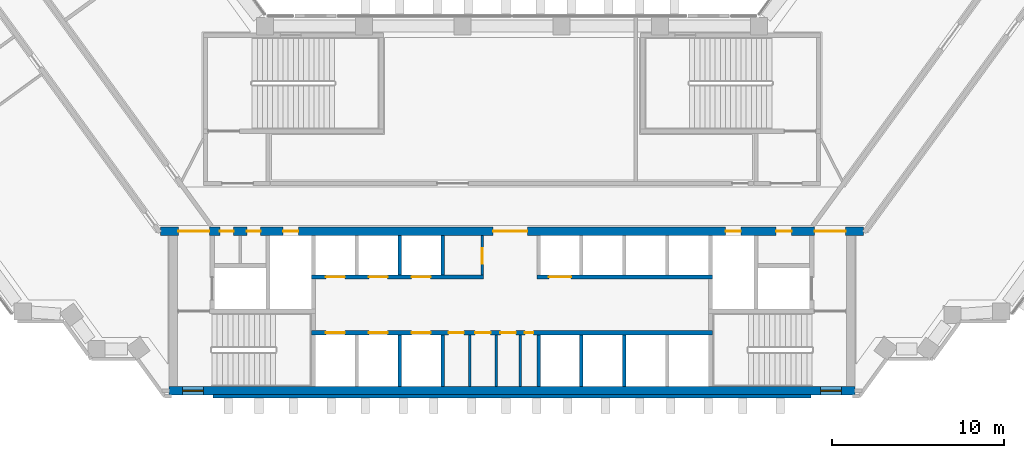
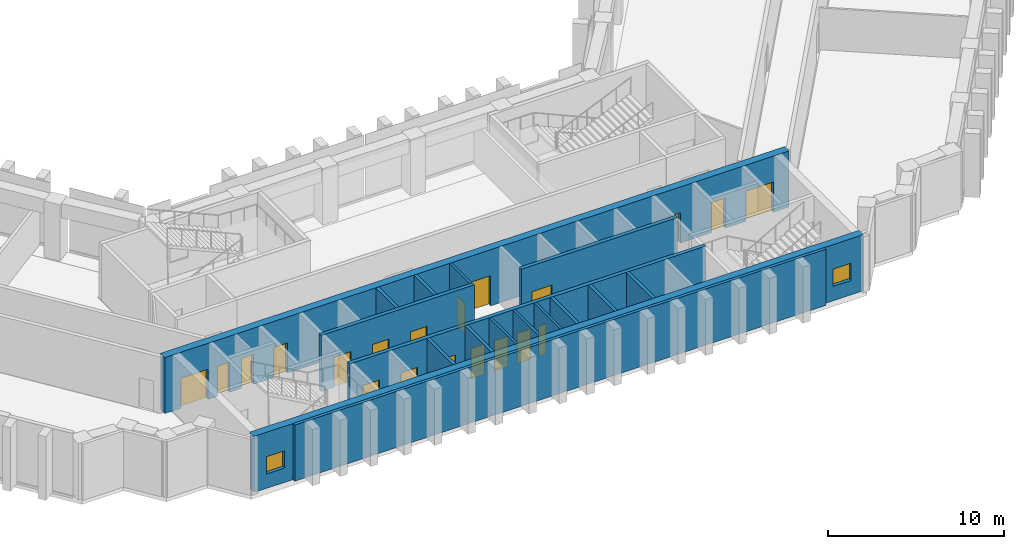
# One storey, part 6 of 14: 20 doors, 17 walls, 2 windows, 22 openings.
"""IFC4 building model written with IfcOpenShell, lengths in metres."""

import ifcopenshell
import ifcopenshell.guid

model = None  # the IFC model being written
_history = None  # IfcOwnerHistory: only IFC2X3 demands one
_inside = {}  # id of a spatial element -> (the spatial element, [elements in it])
_under = {}  # id of a project, library or spatial element -> (it, [spatial elements below it])
_declared = {}  # id of a project -> (the project, [libraries it declares])
_typed = {}  # id of a type object -> (the type object, [elements of that type])
_made_of = {}  # id of a material, layer set ... -> (it, [elements and type objects made of it])


def new_model(schema):
    """Start an empty IFC model of exactly this schema.

    Asked for "IFC4X3", IfcOpenShell would pick the latest addendum, in which some entities
    have other attributes; the version numbers below select the first issue.
    IFC2X3 requires an IfcOwnerHistory on every rooted entity: one is made here for all.
    """
    global model, _history
    if schema == "IFC4X3":
        model = ifcopenshell.file(schema_version=(4, 3, 0, 0))
    else:
        model = ifcopenshell.file(schema=schema)
    _inside.clear()
    _under.clear()
    _declared.clear()
    _typed.clear()
    _made_of.clear()
    _history = None
    if model.schema == "IFC2X3":
        org = make("IfcOrganization", Name="unknown")
        user = make(
            "IfcPersonAndOrganization",
            ThePerson=make("IfcPerson", FamilyName="unknown"),
            TheOrganization=org,
        )
        app = make(
            "IfcApplication",
            ApplicationDeveloper=org,
            Version="unknown",
            ApplicationFullName="unknown",
            ApplicationIdentifier="unknown",
        )
        _history = make(
            "IfcOwnerHistory",
            OwningUser=user,
            OwningApplication=app,
            ChangeAction="ADDED",
            CreationDate=0,
        )
    return model


def make(cls, **values):
    """One entity of the class cls with the attributes given. An attribute that is None is left unset."""
    return model.create_entity(
        cls, **{name: value for name, value in values.items() if value is not None}
    )


def rooted(cls, **values):
    """An entity with a GlobalId (a new one), such as an element, a storey or a relation."""
    return make(cls, GlobalId=ifcopenshell.guid.new(), OwnerHistory=_history, **values)


def si_unit(unit_type, name, prefix=None):
    """IfcSIUnit, for example si_unit("LENGTHUNIT", "METRE", prefix="MILLI")."""
    return make("IfcSIUnit", UnitType=unit_type, Prefix=prefix, Name=name)


def assignment(units):
    """IfcUnitAssignment: the units of a project."""
    return None if units is None else make("IfcUnitAssignment", Units=units)


def point(xyz):
    """IfcCartesianPoint."""
    return None if xyz is None else make("IfcCartesianPoint", Coordinates=xyz)


def direction(xyz):
    """IfcDirection."""
    return None if xyz is None else make("IfcDirection", DirectionRatios=xyz)


def frame(location, z_axis=None, x_axis=None):
    """IfcAxis2Placement3D, a coordinate frame: its origin and axes. An axis left out is left unset."""
    return make(
        "IfcAxis2Placement3D",
        Location=point(location),
        Axis=direction(z_axis),
        RefDirection=direction(x_axis),
    )


def frame_2d(location, x_axis=None):
    """IfcAxis2Placement2D, a coordinate frame in the plane: its origin and x axis."""
    return make(
        "IfcAxis2Placement2D", Location=point(location), RefDirection=direction(x_axis)
    )


def origin():
    """The frame at (0, 0, 0) with its axes left unset."""
    return frame((0.0, 0.0, 0.0))


def place(relative_to, where):
    """IfcLocalPlacement: puts the frame where relative to a parent placement (None: the world)."""
    return make(
        "IfcLocalPlacement", PlacementRelTo=relative_to, RelativePlacement=where
    )


def context(
    kind, dimensions, precision=None, world=None, true_north=None, identifier=None
):
    """IfcGeometricRepresentationContext, for example the 3D "Model" context."""
    return make(
        "IfcGeometricRepresentationContext",
        ContextIdentifier=identifier,
        ContextType=kind,
        CoordinateSpaceDimension=dimensions,
        Precision=precision,
        WorldCoordinateSystem=world,
        TrueNorth=true_north,
    )


def subcontext(parent, identifier, kind, view, scale=None):
    """IfcGeometricRepresentationSubContext, for example "Body" below "Model"."""
    return make(
        "IfcGeometricRepresentationSubContext",
        ContextIdentifier=identifier,
        ContextType=kind,
        ParentContext=parent,
        TargetScale=scale,
        TargetView=view,
    )


def project(units=None, contexts=None):
    """IfcProject with its units and contexts."""
    return rooted(
        "IfcProject",
        Name="project",
        RepresentationContexts=contexts,
        UnitsInContext=assignment(units),
    )


def spatial(cls, under=None, at=None, **own):
    """A site, building, storey or space (cls), placed at a placement, below another one or the project."""
    s = rooted(cls, ObjectPlacement=at, **own)
    if under is not None:
        _under.setdefault(under.id(), (under, []))[1].append(s)
    return s


def profile(cls, at=None, kind="AREA", **sizes):
    """A parametric profile (cls). Its sizes go by their IFC names, for example OverallWidth=200.0."""
    return make(cls, ProfileType=kind, Position=at, **sizes)


def rectangle(**sizes):
    """IfcRectangleProfileDef."""
    return profile("IfcRectangleProfileDef", **sizes)


def extrude(swept, where, along, depth):
    """IfcExtrudedAreaSolid: the profile swept, set in the frame where, extruded along a direction by depth."""
    return make(
        "IfcExtrudedAreaSolid",
        SweptArea=swept,
        Position=where,
        ExtrudedDirection=direction(along),
        Depth=depth,
    )


def shape(context_of_items, identifier, shape_type, items):
    """IfcShapeRepresentation: the items that make up one representation, for example the "Body"."""
    return make(
        "IfcShapeRepresentation",
        ContextOfItems=context_of_items,
        RepresentationIdentifier=identifier,
        RepresentationType=shape_type,
        Items=items,
    )


def material(Name=None, Category=None):
    """IfcMaterial."""
    return make("IfcMaterial", Name=Name, Category=Category)


def layer(
    of_material, thickness, ventilated=None, Name=None, Category=None, Priority=None
):
    """IfcMaterialLayer: one layer of a wall or slab, of a material (None: an air gap)."""
    return make(
        "IfcMaterialLayer",
        Material=of_material,
        LayerThickness=thickness,
        IsVentilated=ventilated,
        Name=Name,
        Category=Category,
        Priority=Priority,
    )


def layer_set(layers, Name=None):
    """IfcMaterialLayerSet."""
    return make("IfcMaterialLayerSet", MaterialLayers=layers, LayerSetName=Name)


def made_of(thing, what):
    """Note that an element or type object is made of a material, layer set ...; save() writes the relation."""
    if what is not None:
        _made_of.setdefault(what.id(), (what, []))[1].append(thing)
    return thing


def type_object(cls, material=None, **own):
    """A type object (cls), such as IfcWallType, which elements share."""
    return made_of(rooted(cls, **own), material)


def element(
    cls,
    number,
    at=None,
    inside=None,
    cuts=None,
    type_object=None,
    material=None,
    context=None,
    identifier="Body",
    shape_type=None,
    held_by="IfcProductDefinitionShape",
    body=None,
    shapes=None,
    **own,
):
    """One element of the class cls, such as IfcWall. Its Tag is "e" and its number.

    at: its placement. inside: the storey or other place that contains it. cuts: it is an
    opening in that element (IfcRelVoidsElement). A single representation is given by context,
    identifier, shape_type and body (its items); several are given by shapes. held_by: the class
    of the entity that holds the representations. save() writes the other relations.
    """
    e = rooted(cls, Tag="e%d" % number, ObjectPlacement=at, **own)
    if body is not None:
        shapes = [shape(context, identifier, shape_type, body)]
    if shapes is not None:
        e.Representation = make(held_by, Representations=shapes)
    if inside is not None:
        _inside.setdefault(inside.id(), (inside, []))[1].append(e)
    if cuts is not None:
        rooted(
            "IfcRelVoidsElement", RelatingBuildingElement=cuts, RelatedOpeningElement=e
        )
    if type_object is not None:
        _typed.setdefault(type_object.id(), (type_object, []))[1].append(e)
    return made_of(e, material)


def fill(opening, filler):
    """IfcRelFillsElement: the door or window that sits in an opening."""
    return rooted(
        "IfcRelFillsElement",
        RelatingOpeningElement=opening,
        RelatedBuildingElement=filler,
    )


def aggregate(whole, parts):
    """IfcRelAggregates: a whole, such as a stair, and the parts it consists of."""
    return rooted("IfcRelAggregates", RelatingObject=whole, RelatedObjects=parts)


def save(model, path):
    """Write the relations noted so far, then the file.

    IfcRelAggregates (storeys below a building ...), IfcRelContainedInSpatialStructure (elements
    in a storey), IfcRelDefinesByType, IfcRelAssociatesMaterial and IfcRelDeclares: one each for
    every whole, place, type object, material and project.
    """
    for whole, parts in _under.values():
        aggregate(whole, parts)
    for where, things in _inside.values():
        rooted(
            "IfcRelContainedInSpatialStructure",
            RelatedElements=things,
            RelatingStructure=where,
        )
    for kind, things in _typed.values():
        rooted("IfcRelDefinesByType", RelatedObjects=things, RelatingType=kind)
    for what, things in _made_of.values():
        rooted("IfcRelAssociatesMaterial", RelatedObjects=things, RelatingMaterial=what)
    for by, libraries in _declared.values():
        rooted("IfcRelDeclares", RelatingContext=by, RelatedDefinitions=libraries)
    model.write(path)


model = new_model("IFC4")

# Units and contexts
model_context = context("Model", 3, precision=1e-05, world=origin(), true_north=direction((0.0, 1.0)))
body_context = subcontext(model_context, "Body", "Model", "MODEL_VIEW")
ifc_project = project(units=[si_unit("LENGTHUNIT", "METRE"), si_unit("AREAUNIT", "SQUARE_METRE"), si_unit("VOLUMEUNIT", "CUBIC_METRE"), si_unit("PLANEANGLEUNIT", "RADIAN"), si_unit("MASSUNIT", "GRAM", prefix="KILO")], contexts=[model_context])

# Site, building, storey
site_placement = place(None, origin())
site = spatial("IfcSite", under=ifc_project, at=site_placement, CompositionType="ELEMENT")
building_placement = place(site_placement, origin())
building = spatial("IfcBuilding", under=site, at=building_placement, Name="Quipu Civic Tower", CompositionType="ELEMENT")
storey_placement = place(building_placement, frame((0.0, 0.0, 20.5)))
storey = spatial("IfcBuildingStorey", under=building, at=storey_placement, Name="L04", CompositionType="ELEMENT", Elevation=20.5)

# Wall, openings, doors
ifc_material_1 = material(Name="Concrete C70/85", Category="concrete")
ifc_layer_1 = layer(ifc_material_1, 0.25)
ifc_layer_set_1 = layer_set([ifc_layer_1], Name="Concrete C70/85")
wall_type_1 = type_object("IfcWallType", Name="Core wall 250", PredefinedType="SHEAR", material=ifc_layer_set_1)
wall_1_placement = place(storey_placement, frame((11.699951171875, -7.375, 0.0), z_axis=(0.0, 0.0, 1.0), x_axis=(-1.0, 0.0, 0.0)))
wall_1 = element("IfcWall", 1, at=wall_1_placement, inside=storey, type_object=wall_type_1, Name="Core wall", PredefinedType="SHEAR", context=body_context, shape_type="SweptSolid", body=[
    extrude(rectangle(XDim=23.39990234375, YDim=0.25, at=frame_2d((11.699951171875, 0.0))), origin(), (0.0, 0.0, 1.0), 3.89990234375),
])
opening_1_placement = place(wall_1_placement, frame((21.449951171875, 0.0, 0.0)))
opening_1 = element("IfcOpeningElement", 2, at=opening_1_placement, cuts=wall_1, Name="Opening LD-LL1", PredefinedType="OPENING", context=body_context, shape_type="SweptSolid", body=[
    extrude(rectangle(XDim=1.10009765625, YDim=2.10009765625, at=frame_2d((0.550048828125, 1.050048828125))), frame((0.0, 0.135009765625, 0.0), z_axis=(0.0, -1.0, 0.0), x_axis=(1.0, 0.0, 0.0)), (0.0, 0.0, 1.0), 0.27001953125),
])
opening_2_placement = place(wall_1_placement, frame((18.949951171875, 0.0, 0.0)))
opening_2 = element("IfcOpeningElement", 3, at=opening_2_placement, cuts=wall_1, Name="Opening LD-LL2", PredefinedType="OPENING", context=body_context, shape_type="SweptSolid", body=[
    extrude(rectangle(XDim=1.10009765625, YDim=2.10009765625, at=frame_2d((0.550048828125, 1.050048828125))), frame((0.0, 0.135009765625, 0.0), z_axis=(0.0, -1.0, 0.0), x_axis=(1.0, 0.0, 0.0)), (0.0, 0.0, 1.0), 0.27001953125),
])
opening_3_placement = place(wall_1_placement, frame((16.449951171875, 0.0, 0.0)))
opening_3 = element("IfcOpeningElement", 4, at=opening_3_placement, cuts=wall_1, Name="Opening LD-LL3", PredefinedType="OPENING", context=body_context, shape_type="SweptSolid", body=[
    extrude(rectangle(XDim=1.10009765625, YDim=2.10009765625, at=frame_2d((0.550048828125, 1.050048828125))), frame((0.0, 0.135009765625, 0.0), z_axis=(0.0, -1.0, 0.0), x_axis=(1.0, 0.0, 0.0)), (0.0, 0.0, 1.0), 0.27001953125),
])
opening_4_placement = place(wall_1_placement, frame((14.5, 0.0, 0.0)))
opening_4 = element("IfcOpeningElement", 5, at=opening_4_placement, cuts=wall_1, Name="Opening CD-01", PredefinedType="OPENING", context=body_context, shape_type="SweptSolid", body=[
    extrude(rectangle(XDim=0.89990234375, YDim=2.10009765625, at=frame_2d((0.449951171875, 1.050048828125))), frame((0.0, 0.135009765625, 0.0), z_axis=(0.0, -1.0, 0.0), x_axis=(1.0, 0.0, 0.0)), (0.0, 0.0, 1.0), 0.27001953125),
])
opening_5_placement = place(wall_1_placement, frame((12.949951171875, 0.0, 0.0)))
opening_5 = element("IfcOpeningElement", 6, at=opening_5_placement, cuts=wall_1, Name="Opening CD-02", PredefinedType="OPENING", context=body_context, shape_type="SweptSolid", body=[
    extrude(rectangle(XDim=0.89990234375, YDim=2.10009765625, at=frame_2d((0.449951171875, 1.050048828125))), frame((0.0, 0.135009765625, 0.0), z_axis=(0.0, -1.0, 0.0), x_axis=(1.0, 0.0, 0.0)), (0.0, 0.0, 1.0), 0.27001953125),
])
opening_6_placement = place(wall_1_placement, frame((11.47509765625, 0.0, 0.0)))
opening_6 = element("IfcOpeningElement", 7, at=opening_6_placement, cuts=wall_1, Name="Opening CD-03", PredefinedType="OPENING", context=body_context, shape_type="SweptSolid", body=[
    extrude(rectangle(XDim=0.89990234375, YDim=2.10009765625, at=frame_2d((0.449951171875, 1.050048828125))), frame((0.0, 0.135009765625, 0.0), z_axis=(0.0, -1.0, 0.0), x_axis=(1.0, 0.0, 0.0)), (0.0, 0.0, 1.0), 0.27001953125),
])
opening_7_placement = place(wall_1_placement, frame((10.449951171875, 0.0, 0.0)))
opening_7 = element("IfcOpeningElement", 8, at=opening_7_placement, cuts=wall_1, Name="Opening CD-04", PredefinedType="OPENING", context=body_context, shape_type="SweptSolid", body=[
    extrude(rectangle(XDim=0.5, YDim=2.10009765625, at=frame_2d((0.25, 1.050048828125))), frame((0.0, 0.135009765625, 0.0), z_axis=(0.0, -1.0, 0.0), x_axis=(1.0, 0.0, 0.0)), (0.0, 0.0, 1.0), 0.27001953125),
])
ifc_material_2 = material(Name="Fire rated steel door", Category="steel")
door_type_1 = type_object("IfcDoorType", Name="Fire door FD60 500 x 2100", OperationType="NOTDEFINED", PredefinedType="DOOR", material=ifc_material_2)
door_1_placement = place(opening_7_placement, origin())
door_1 = element("IfcDoor", 9, at=door_1_placement, inside=storey, type_object=door_type_1, Name="Door", OperationType="SINGLE_SWING_LEFT", OverallHeight=2.10009765625, OverallWidth=0.5, PredefinedType="DOOR", context=body_context, shape_type="SweptSolid", body=[
    extrude(rectangle(XDim=0.5, YDim=2.10009765625, at=frame_2d((0.25, 1.050048828125))), frame((0.0, 0.02490234375, 0.0), z_axis=(0.0, -1.0, 0.0), x_axis=(1.0, 0.0, 0.0)), (0.0, 0.0, 1.0), 0.050048828125),
])
fill(opening_7, door_1)
ifc_material_3 = material(Name="Fire rated steel door", Category="steel")
door_type_2 = type_object("IfcDoorType", Name="Fire door FD60 900 x 2100", OperationType="NOTDEFINED", PredefinedType="DOOR", material=ifc_material_3)
door_2_placement = place(opening_4_placement, origin())
door_2 = element("IfcDoor", 10, at=door_2_placement, inside=storey, type_object=door_type_2, Name="WC door", OperationType="SINGLE_SWING_RIGHT", OverallHeight=2.10009765625, OverallWidth=0.89990234375, PredefinedType="DOOR", context=body_context, shape_type="SweptSolid", body=[
    extrude(rectangle(XDim=0.89990234375, YDim=2.10009765625, at=frame_2d((0.449951171875, 1.050048828125))), frame((0.0, 0.02490234375, 0.0), z_axis=(0.0, -1.0, 0.0), x_axis=(1.0, 0.0, 0.0)), (0.0, 0.0, 1.0), 0.050048828125),
])
fill(opening_4, door_2)
door_3_placement = place(opening_5_placement, origin())
door_3 = element("IfcDoor", 11, at=door_3_placement, inside=storey, type_object=door_type_2, Name="WC door", OperationType="SINGLE_SWING_RIGHT", OverallHeight=2.10009765625, OverallWidth=0.89990234375, PredefinedType="DOOR", context=body_context, shape_type="SweptSolid", body=[
    extrude(rectangle(XDim=0.89990234375, YDim=2.10009765625, at=frame_2d((0.449951171875, 1.050048828125))), frame((0.0, 0.02490234375, 0.0), z_axis=(0.0, -1.0, 0.0), x_axis=(1.0, 0.0, 0.0)), (0.0, 0.0, 1.0), 0.050048828125),
])
fill(opening_5, door_3)
door_4_placement = place(opening_6_placement, origin())
door_4 = element("IfcDoor", 12, at=door_4_placement, inside=storey, type_object=door_type_2, Name="WC door", OperationType="SINGLE_SWING_RIGHT", OverallHeight=2.10009765625, OverallWidth=0.89990234375, PredefinedType="DOOR", context=body_context, shape_type="SweptSolid", body=[
    extrude(rectangle(XDim=0.89990234375, YDim=2.10009765625, at=frame_2d((0.449951171875, 1.050048828125))), frame((0.0, 0.02490234375, 0.0), z_axis=(0.0, -1.0, 0.0), x_axis=(1.0, 0.0, 0.0)), (0.0, 0.0, 1.0), 0.050048828125),
])
fill(opening_6, door_4)
ifc_material_4 = material(Name="Stainless steel", Category="steel")
door_type_3 = type_object("IfcDoorType", Name="Lift landing door 1100 x 2100", OperationType="DOUBLE_DOOR_SLIDING", PredefinedType="DOOR", material=ifc_material_4)
door_5_placement = place(opening_1_placement, origin())
door_5 = element("IfcDoor", 13, at=door_5_placement, inside=storey, type_object=door_type_3, Name="Landing door LL1", OperationType="DOUBLE_DOOR_SLIDING", OverallHeight=2.10009765625, OverallWidth=1.10009765625, PredefinedType="DOOR", context=body_context, shape_type="SweptSolid", body=[
    extrude(rectangle(XDim=1.10009765625, YDim=2.10009765625, at=frame_2d((0.550048828125, 1.050048828125))), frame((0.0, 0.02490234375, 0.0), z_axis=(0.0, -1.0, 0.0), x_axis=(1.0, 0.0, 0.0)), (0.0, 0.0, 1.0), 0.050048828125),
])
fill(opening_1, door_5)
door_6_placement = place(opening_2_placement, origin())
door_6 = element("IfcDoor", 14, at=door_6_placement, inside=storey, type_object=door_type_3, Name="Landing door LL2", OperationType="DOUBLE_DOOR_SLIDING", OverallHeight=2.10009765625, OverallWidth=1.10009765625, PredefinedType="DOOR", context=body_context, shape_type="SweptSolid", body=[
    extrude(rectangle(XDim=1.10009765625, YDim=2.10009765625, at=frame_2d((0.550048828125, 1.050048828125))), frame((0.0, 0.02490234375, 0.0), z_axis=(0.0, -1.0, 0.0), x_axis=(1.0, 0.0, 0.0)), (0.0, 0.0, 1.0), 0.050048828125),
])
fill(opening_2, door_6)
door_7_placement = place(opening_3_placement, origin())
door_7 = element("IfcDoor", 15, at=door_7_placement, inside=storey, type_object=door_type_3, Name="Landing door LL3", OperationType="DOUBLE_DOOR_SLIDING", OverallHeight=2.10009765625, OverallWidth=1.10009765625, PredefinedType="DOOR", context=body_context, shape_type="SweptSolid", body=[
    extrude(rectangle(XDim=1.10009765625, YDim=2.10009765625, at=frame_2d((0.550048828125, 1.050048828125))), frame((0.0, 0.02490234375, 0.0), z_axis=(0.0, -1.0, 0.0), x_axis=(1.0, 0.0, 0.0)), (0.0, 0.0, 1.0), 0.050048828125),
])
fill(opening_3, door_7)

wall_2_placement = place(storey_placement, frame((-11.699951171875, -4.125, 0.0), z_axis=(0.0, 0.0, 1.0), x_axis=(1.0, 0.0, 0.0)))
wall_2 = element("IfcWall", 16, at=wall_2_placement, inside=storey, type_object=wall_type_1, Name="Core wall", PredefinedType="SHEAR", context=body_context, shape_type="SweptSolid", body=[
    extrude(rectangle(XDim=10.050048828125, YDim=0.25, at=frame_2d((5.02490234375, 0.0))), origin(), (0.0, 0.0, 1.0), 3.89990234375),
])
opening_8_placement = place(wall_2_placement, frame((0.85009765625, 0.0, 0.0)))
opening_8 = element("IfcOpeningElement", 17, at=opening_8_placement, cuts=wall_2, Name="Opening LD-LL4", PredefinedType="OPENING", context=body_context, shape_type="SweptSolid", body=[
    extrude(rectangle(XDim=1.10009765625, YDim=2.10009765625, at=frame_2d((0.550048828125, 1.050048828125))), frame((0.0, 0.135009765625, 0.0), z_axis=(0.0, -1.0, 0.0), x_axis=(1.0, 0.0, 0.0)), (0.0, 0.0, 1.0), 0.27001953125),
])
opening_9_placement = place(wall_2_placement, frame((3.35009765625, 0.0, 0.0)))
opening_9 = element("IfcOpeningElement", 18, at=opening_9_placement, cuts=wall_2, Name="Opening LD-LL5", PredefinedType="OPENING", context=body_context, shape_type="SweptSolid", body=[
    extrude(rectangle(XDim=1.10009765625, YDim=2.10009765625, at=frame_2d((0.550048828125, 1.050048828125))), frame((0.0, 0.135009765625, 0.0), z_axis=(0.0, -1.0, 0.0), x_axis=(1.0, 0.0, 0.0)), (0.0, 0.0, 1.0), 0.27001953125),
])
opening_10_placement = place(wall_2_placement, frame((5.85009765625, 0.0, 0.0)))
opening_10 = element("IfcOpeningElement", 19, at=opening_10_placement, cuts=wall_2, Name="Opening LD-LL6", PredefinedType="OPENING", context=body_context, shape_type="SweptSolid", body=[
    extrude(rectangle(XDim=1.10009765625, YDim=2.10009765625, at=frame_2d((0.550048828125, 1.050048828125))), frame((0.0, 0.135009765625, 0.0), z_axis=(0.0, -1.0, 0.0), x_axis=(1.0, 0.0, 0.0)), (0.0, 0.0, 1.0), 0.27001953125),
])
door_8_placement = place(opening_8_placement, origin())
door_8 = element("IfcDoor", 20, at=door_8_placement, inside=storey, type_object=door_type_3, Name="Landing door LL4", OperationType="DOUBLE_DOOR_SLIDING", OverallHeight=2.10009765625, OverallWidth=1.10009765625, PredefinedType="DOOR", context=body_context, shape_type="SweptSolid", body=[
    extrude(rectangle(XDim=1.10009765625, YDim=2.10009765625, at=frame_2d((0.550048828125, 1.050048828125))), frame((0.0, 0.02490234375, 0.0), z_axis=(0.0, -1.0, 0.0), x_axis=(1.0, 0.0, 0.0)), (0.0, 0.0, 1.0), 0.050048828125),
])
fill(opening_8, door_8)
door_9_placement = place(opening_9_placement, origin())
door_9 = element("IfcDoor", 21, at=door_9_placement, inside=storey, type_object=door_type_3, Name="Landing door LL5", OperationType="DOUBLE_DOOR_SLIDING", OverallHeight=2.10009765625, OverallWidth=1.10009765625, PredefinedType="DOOR", context=body_context, shape_type="SweptSolid", body=[
    extrude(rectangle(XDim=1.10009765625, YDim=2.10009765625, at=frame_2d((0.550048828125, 1.050048828125))), frame((0.0, 0.02490234375, 0.0), z_axis=(0.0, -1.0, 0.0), x_axis=(1.0, 0.0, 0.0)), (0.0, 0.0, 1.0), 0.050048828125),
])
fill(opening_9, door_9)
door_10_placement = place(opening_10_placement, origin())
door_10 = element("IfcDoor", 22, at=door_10_placement, inside=storey, type_object=door_type_3, Name="Landing door LL6", OperationType="DOUBLE_DOOR_SLIDING", OverallHeight=2.10009765625, OverallWidth=1.10009765625, PredefinedType="DOOR", context=body_context, shape_type="SweptSolid", body=[
    extrude(rectangle(XDim=1.10009765625, YDim=2.10009765625, at=frame_2d((0.550048828125, 1.050048828125))), frame((0.0, 0.02490234375, 0.0), z_axis=(0.0, -1.0, 0.0), x_axis=(1.0, 0.0, 0.0)), (0.0, 0.0, 1.0), 0.050048828125),
])
fill(opening_10, door_10)

# Wall, opening, door
wall_3_placement = place(storey_placement, frame((1.449951171875, -4.125, 0.0), z_axis=(0.0, 0.0, 1.0), x_axis=(1.0, 0.0, 0.0)))
wall_3 = element("IfcWall", 23, at=wall_3_placement, inside=storey, type_object=wall_type_1, Name="Core wall", PredefinedType="SHEAR", context=body_context, shape_type="SweptSolid", body=[
    extrude(rectangle(XDim=10.25, YDim=0.25, at=frame_2d((5.125, 0.0))), origin(), (0.0, 0.0, 1.0), 3.89990234375),
])
opening_11_placement = place(wall_3_placement, frame((0.699951171875, 0.0, 0.0)))
opening_11 = element("IfcOpeningElement", 24, at=opening_11_placement, cuts=wall_3, Name="Opening LD-FF3", PredefinedType="OPENING", context=body_context, shape_type="SweptSolid", body=[
    extrude(rectangle(XDim=1.300048828125, YDim=2.10009765625, at=frame_2d((0.64990234375, 1.050048828125))), frame((0.0, 0.135009765625, 0.0), z_axis=(0.0, -1.0, 0.0), x_axis=(1.0, 0.0, 0.0)), (0.0, 0.0, 1.0), 0.27001953125),
])
ifc_material_5 = material(Name="Stainless steel", Category="steel")
door_type_4 = type_object("IfcDoorType", Name="Lift landing door 1300 x 2100", OperationType="DOUBLE_DOOR_SLIDING", PredefinedType="DOOR", material=ifc_material_5)
door_11_placement = place(opening_11_placement, origin())
door_11 = element("IfcDoor", 25, at=door_11_placement, inside=storey, type_object=door_type_4, Name="Landing door FF3", OperationType="DOUBLE_DOOR_SLIDING", OverallHeight=2.10009765625, OverallWidth=1.300048828125, PredefinedType="DOOR", context=body_context, shape_type="SweptSolid", body=[
    extrude(rectangle(XDim=1.300048828125, YDim=2.10009765625, at=frame_2d((0.64990234375, 1.050048828125))), frame((0.0, 0.02490234375, 0.0), z_axis=(0.0, -1.0, 0.0), x_axis=(1.0, 0.0, 0.0)), (0.0, 0.0, 1.0), 0.050048828125),
])
fill(opening_11, door_11)

# Wall, openings, windows
ifc_material_6 = material(Name="Concrete C70/85", Category="concrete")
ifc_layer_2 = layer(ifc_material_6, 0.5)
ifc_layer_set_2 = layer_set([ifc_layer_2], Name="Concrete C70/85")
wall_type_2 = type_object("IfcWallType", Name="Core wall 500", PredefinedType="SHEAR", material=ifc_layer_set_2)
wall_4_placement = place(storey_placement, frame((-20.0, -10.75, 0.0), z_axis=(0.0, 0.0, 1.0), x_axis=(1.0, 0.0, 0.0)))
wall_4 = element("IfcWall", 26, at=wall_4_placement, inside=storey, type_object=wall_type_2, Name="Core wall", PredefinedType="SHEAR", context=body_context, shape_type="SweptSolid", body=[
    extrude(rectangle(XDim=40.0, YDim=0.5, at=frame_2d((20.0, 0.0))), origin(), (0.0, 0.0, 1.0), 3.89990234375),
])
opening_12_placement = place(wall_4_placement, frame((0.800048828125, 0.0, 1.0)))
opening_12 = element("IfcOpeningElement", 27, at=opening_12_placement, cuts=wall_4, Name="Opening SV-1", PredefinedType="OPENING", context=body_context, shape_type="SweptSolid", body=[
    extrude(rectangle(XDim=1.199951171875, YDim=1.199951171875, at=frame_2d((0.60009765625, 0.60009765625))), frame((0.0, 0.260009765625, 0.0), z_axis=(0.0, -1.0, 0.0), x_axis=(1.0, 0.0, 0.0)), (0.0, 0.0, 1.0), 0.52001953125),
])
opening_13_placement = place(wall_4_placement, frame((38.0, 0.0, 1.0)))
opening_13 = element("IfcOpeningElement", 28, at=opening_13_placement, cuts=wall_4, Name="Opening SV-2", PredefinedType="OPENING", context=body_context, shape_type="SweptSolid", body=[
    extrude(rectangle(XDim=1.199951171875, YDim=1.199951171875, at=frame_2d((0.60009765625, 0.60009765625))), frame((0.0, 0.260009765625, 0.0), z_axis=(0.0, -1.0, 0.0), x_axis=(1.0, 0.0, 0.0)), (0.0, 0.0, 1.0), 0.52001953125),
])
ifc_material_7 = material(Name="Aluminium louvre", Category="aluminium")
window_type = type_object("IfcWindowType", Name="Stair ventilation louvre 1200 x 1200", PartitioningType="SINGLE_PANEL", PredefinedType="WINDOW", material=ifc_material_7)
window_1_placement = place(opening_12_placement, origin())
window_1 = element("IfcWindow", 29, at=window_1_placement, inside=storey, type_object=window_type, Name="Stair ventilation opening", OverallHeight=1.199951171875, OverallWidth=1.199951171875, PartitioningType="SINGLE_PANEL", PredefinedType="WINDOW", context=body_context, shape_type="SweptSolid", body=[
    extrude(rectangle(XDim=1.199951171875, YDim=1.199951171875, at=frame_2d((0.60009765625, 0.60009765625))), frame((0.0, 0.030029296875, 0.0), z_axis=(0.0, -1.0, 0.0), x_axis=(1.0, 0.0, 0.0)), (0.0, 0.0, 1.0), 0.06005859375),
])
fill(opening_12, window_1)
window_2_placement = place(opening_13_placement, origin())
window_2 = element("IfcWindow", 30, at=window_2_placement, inside=storey, type_object=window_type, Name="Stair ventilation opening", OverallHeight=1.199951171875, OverallWidth=1.199951171875, PartitioningType="SINGLE_PANEL", PredefinedType="WINDOW", context=body_context, shape_type="SweptSolid", body=[
    extrude(rectangle(XDim=1.199951171875, YDim=1.199951171875, at=frame_2d((0.60009765625, 0.60009765625))), frame((0.0, 0.030029296875, 0.0), z_axis=(0.0, -1.0, 0.0), x_axis=(1.0, 0.0, 0.0)), (0.0, 0.0, 1.0), 0.06005859375),
])
fill(opening_13, window_2)

# Wall, openings, doors
wall_5_placement = place(storey_placement, frame((20.489990234375, -1.449951171875, 0.0), z_axis=(0.0, 0.0, 1.0), x_axis=(-1.0, 0.0, 0.0)))
wall_5 = element("IfcWall", 31, at=wall_5_placement, inside=storey, type_object=wall_type_2, Name="Core wall", PredefinedType="SHEAR", context=body_context, shape_type="SweptSolid", body=[
    extrude(rectangle(XDim=40.97998046875, YDim=0.5, at=frame_2d((20.489990234375, 0.0))), origin(), (0.0, 0.0, 1.0), 3.89990234375),
])
opening_14_placement = place(wall_5_placement, frame((38.139892578125, 0.0, 0.0)))
opening_14 = element("IfcOpeningElement", 32, at=opening_14_placement, cuts=wall_5, Name="Opening CD-08", PredefinedType="OPENING", context=body_context, shape_type="SweptSolid", body=[
    extrude(rectangle(XDim=1.800048828125, YDim=2.10009765625, at=frame_2d((0.89990234375, 1.050048828125))), frame((0.0, 0.260009765625, 0.0), z_axis=(0.0, -1.0, 0.0), x_axis=(1.0, 0.0, 0.0)), (0.0, 0.0, 1.0), 0.52001953125),
])
opening_15_placement = place(wall_5_placement, frame((36.7275390625, 0.0, 0.0)))
opening_15 = element("IfcOpeningElement", 33, at=opening_15_placement, cuts=wall_5, Name="Opening CD-09", PredefinedType="OPENING", context=body_context, shape_type="SweptSolid", body=[
    extrude(rectangle(XDim=0.800048828125, YDim=2.10009765625, at=frame_2d((0.39990234375, 1.050048828125))), frame((0.0, 0.260009765625, 0.0), z_axis=(0.0, -1.0, 0.0), x_axis=(1.0, 0.0, 0.0)), (0.0, 0.0, 1.0), 0.52001953125),
])
opening_16_placement = place(wall_5_placement, frame((35.152587890625, 0.0, 0.0)))
opening_16 = element("IfcOpeningElement", 34, at=opening_16_placement, cuts=wall_5, Name="Opening CD-10", PredefinedType="OPENING", context=body_context, shape_type="SweptSolid", body=[
    extrude(rectangle(XDim=0.800048828125, YDim=2.10009765625, at=frame_2d((0.39990234375, 1.050048828125))), frame((0.0, 0.260009765625, 0.0), z_axis=(0.0, -1.0, 0.0), x_axis=(1.0, 0.0, 0.0)), (0.0, 0.0, 1.0), 0.52001953125),
])
opening_17_placement = place(wall_5_placement, frame((32.93994140625, 0.0, 0.0)))
opening_17 = element("IfcOpeningElement", 35, at=opening_17_placement, cuts=wall_5, Name="Opening CD-11", PredefinedType="OPENING", context=body_context, shape_type="SweptSolid", body=[
    extrude(rectangle(XDim=0.89990234375, YDim=2.10009765625, at=frame_2d((0.449951171875, 1.050048828125))), frame((0.0, 0.260009765625, 0.0), z_axis=(0.0, -1.0, 0.0), x_axis=(1.0, 0.0, 0.0)), (0.0, 0.0, 1.0), 0.52001953125),
])
opening_18_placement = place(wall_5_placement, frame((19.590087890625, 0.0, 0.0)))
opening_18 = element("IfcOpeningElement", 36, at=opening_18_placement, cuts=wall_5, Name="Opening CD-12", PredefinedType="OPENING", context=body_context, shape_type="SweptSolid", body=[
    extrude(rectangle(XDim=2.0, YDim=2.10009765625, at=frame_2d((1.0, 1.050048828125))), frame((0.0, 0.260009765625, 0.0), z_axis=(0.0, -1.0, 0.0), x_axis=(1.0, 0.0, 0.0)), (0.0, 0.0, 1.0), 0.52001953125),
])
opening_19_placement = place(wall_5_placement, frame((7.139892578125, 0.0, 0.0)))
opening_19 = element("IfcOpeningElement", 37, at=opening_19_placement, cuts=wall_5, Name="Opening CD-13", PredefinedType="OPENING", context=body_context, shape_type="SweptSolid", body=[
    extrude(rectangle(XDim=0.89990234375, YDim=2.10009765625, at=frame_2d((0.449951171875, 1.050048828125))), frame((0.0, 0.260009765625, 0.0), z_axis=(0.0, -1.0, 0.0), x_axis=(1.0, 0.0, 0.0)), (0.0, 0.0, 1.0), 0.52001953125),
])
opening_20_placement = place(wall_5_placement, frame((4.18994140625, 0.0, 0.0)))
opening_20 = element("IfcOpeningElement", 38, at=opening_20_placement, cuts=wall_5, Name="Opening CD-14", PredefinedType="OPENING", context=body_context, shape_type="SweptSolid", body=[
    extrude(rectangle(XDim=0.89990234375, YDim=2.10009765625, at=frame_2d((0.449951171875, 1.050048828125))), frame((0.0, 0.260009765625, 0.0), z_axis=(0.0, -1.0, 0.0), x_axis=(1.0, 0.0, 0.0)), (0.0, 0.0, 1.0), 0.52001953125),
])
opening_21_placement = place(wall_5_placement, frame((1.0400390625, 0.0, 0.0)))
opening_21 = element("IfcOpeningElement", 39, at=opening_21_placement, cuts=wall_5, Name="Opening CD-15", PredefinedType="OPENING", context=body_context, shape_type="SweptSolid", body=[
    extrude(rectangle(XDim=1.800048828125, YDim=2.10009765625, at=frame_2d((0.89990234375, 1.050048828125))), frame((0.0, 0.260009765625, 0.0), z_axis=(0.0, -1.0, 0.0), x_axis=(1.0, 0.0, 0.0)), (0.0, 0.0, 1.0), 0.52001953125),
])
ifc_material_8 = material(Name="Fire rated steel door", Category="steel")
door_type_5 = type_object("IfcDoorType", Name="Fire door FD60 800 x 2100", OperationType="NOTDEFINED", PredefinedType="DOOR", material=ifc_material_8)
door_12_placement = place(opening_15_placement, origin())
door_12 = element("IfcDoor", 40, at=door_12_placement, inside=storey, type_object=door_type_5, Name="Door", OperationType="SINGLE_SWING_RIGHT", OverallHeight=2.10009765625, OverallWidth=0.800048828125, PredefinedType="DOOR", context=body_context, shape_type="SweptSolid", body=[
    extrude(rectangle(XDim=0.800048828125, YDim=2.10009765625, at=frame_2d((0.39990234375, 1.050048828125))), frame((0.0, 0.02490234375, 0.0), z_axis=(0.0, -1.0, 0.0), x_axis=(1.0, 0.0, 0.0)), (0.0, 0.0, 1.0), 0.050048828125),
])
fill(opening_15, door_12)
door_13_placement = place(opening_16_placement, origin())
door_13 = element("IfcDoor", 41, at=door_13_placement, inside=storey, type_object=door_type_5, Name="Door", OperationType="SINGLE_SWING_RIGHT", OverallHeight=2.10009765625, OverallWidth=0.800048828125, PredefinedType="DOOR", context=body_context, shape_type="SweptSolid", body=[
    extrude(rectangle(XDim=0.800048828125, YDim=2.10009765625, at=frame_2d((0.39990234375, 1.050048828125))), frame((0.0, 0.02490234375, 0.0), z_axis=(0.0, -1.0, 0.0), x_axis=(1.0, 0.0, 0.0)), (0.0, 0.0, 1.0), 0.050048828125),
])
fill(opening_16, door_13)
door_14_placement = place(opening_17_placement, origin())
door_14 = element("IfcDoor", 42, at=door_14_placement, inside=storey, type_object=door_type_2, Name="Riser door", OperationType="SINGLE_SWING_RIGHT", OverallHeight=2.10009765625, OverallWidth=0.89990234375, PredefinedType="DOOR", context=body_context, shape_type="SweptSolid", body=[
    extrude(rectangle(XDim=0.89990234375, YDim=2.10009765625, at=frame_2d((0.449951171875, 1.050048828125))), frame((0.0, 0.02490234375, 0.0), z_axis=(0.0, -1.0, 0.0), x_axis=(1.0, 0.0, 0.0)), (0.0, 0.0, 1.0), 0.050048828125),
])
fill(opening_17, door_14)
door_15_placement = place(opening_19_placement, origin())
door_15 = element("IfcDoor", 43, at=door_15_placement, inside=storey, type_object=door_type_2, Name="Riser door", OperationType="SINGLE_SWING_LEFT", OverallHeight=2.10009765625, OverallWidth=0.89990234375, PredefinedType="DOOR", context=body_context, shape_type="SweptSolid", body=[
    extrude(rectangle(XDim=0.89990234375, YDim=2.10009765625, at=frame_2d((0.449951171875, 1.050048828125))), frame((0.0, 0.02490234375, 0.0), z_axis=(0.0, -1.0, 0.0), x_axis=(1.0, 0.0, 0.0)), (0.0, 0.0, 1.0), 0.050048828125),
])
fill(opening_19, door_15)
door_16_placement = place(opening_20_placement, origin())
door_16 = element("IfcDoor", 44, at=door_16_placement, inside=storey, type_object=door_type_2, Name="Door", OperationType="SINGLE_SWING_LEFT", OverallHeight=2.10009765625, OverallWidth=0.89990234375, PredefinedType="DOOR", context=body_context, shape_type="SweptSolid", body=[
    extrude(rectangle(XDim=0.89990234375, YDim=2.10009765625, at=frame_2d((0.449951171875, 1.050048828125))), frame((0.0, 0.02490234375, 0.0), z_axis=(0.0, -1.0, 0.0), x_axis=(1.0, 0.0, 0.0)), (0.0, 0.0, 1.0), 0.050048828125),
])
fill(opening_20, door_16)
ifc_material_9 = material(Name="Fire rated steel door", Category="steel")
door_type_6 = type_object("IfcDoorType", Name="Fire door FD90 double 1800 x 2100", OperationType="NOTDEFINED", PredefinedType="DOOR", material=ifc_material_9)
door_17_placement = place(opening_14_placement, origin())
door_17 = element("IfcDoor", 45, at=door_17_placement, inside=storey, type_object=door_type_6, Name="Lobby door", OperationType="DOUBLE_DOOR_SINGLE_SWING", OverallHeight=2.10009765625, OverallWidth=1.800048828125, PredefinedType="DOOR", context=body_context, shape_type="SweptSolid", body=[
    extrude(rectangle(XDim=1.800048828125, YDim=2.10009765625, at=frame_2d((0.89990234375, 1.050048828125))), frame((0.0, 0.02490234375, 0.0), z_axis=(0.0, -1.0, 0.0), x_axis=(1.0, 0.0, 0.0)), (0.0, 0.0, 1.0), 0.050048828125),
])
fill(opening_14, door_17)
door_18_placement = place(opening_21_placement, origin())
door_18 = element("IfcDoor", 46, at=door_18_placement, inside=storey, type_object=door_type_6, Name="Lobby door", OperationType="DOUBLE_DOOR_SINGLE_SWING", OverallHeight=2.10009765625, OverallWidth=1.800048828125, PredefinedType="DOOR", context=body_context, shape_type="SweptSolid", body=[
    extrude(rectangle(XDim=1.800048828125, YDim=2.10009765625, at=frame_2d((0.89990234375, 1.050048828125))), frame((0.0, 0.02490234375, 0.0), z_axis=(0.0, -1.0, 0.0), x_axis=(1.0, 0.0, 0.0)), (0.0, 0.0, 1.0), 0.050048828125),
])
fill(opening_21, door_18)
ifc_material_10 = material(Name="Fire rated steel door", Category="steel")
door_type_7 = type_object("IfcDoorType", Name="Fire door FD90 double 2000 x 2100", OperationType="NOTDEFINED", PredefinedType="DOOR", material=ifc_material_10)
door_19_placement = place(opening_18_placement, origin())
door_19 = element("IfcDoor", 47, at=door_19_placement, inside=storey, type_object=door_type_7, Name="Lobby door", OperationType="DOUBLE_DOOR_SINGLE_SWING", OverallHeight=2.10009765625, OverallWidth=2.0, PredefinedType="DOOR", context=body_context, shape_type="SweptSolid", body=[
    extrude(rectangle(XDim=2.0, YDim=2.10009765625, at=frame_2d((1.0, 1.050048828125))), frame((0.0, 0.02490234375, 0.0), z_axis=(0.0, -1.0, 0.0), x_axis=(1.0, 0.0, 0.0)), (0.0, 0.0, 1.0), 0.050048828125),
])
fill(opening_18, door_19)

# Walls
ifc_material_11 = material(Name="Gypsum board partition")
ifc_layer_3 = layer(ifc_material_11, 0.14990234375)
ifc_layer_set_3 = layer_set([ifc_layer_3], Name="Gypsum board partition")
wall_type_3 = type_object("IfcWallType", Name="Partition 150", PredefinedType="PARTITIONING", material=ifc_layer_set_3)
for number, where, z_axis, x_axis, name in (
    (48, (-2.47509765625, -10.5, 0.0), (0.0, 0.0, 1.0), (0.0, 1.0, 0.0), "Partition"),
    (49, (-0.925048828125, -10.5, 0.0), (0.0, 0.0, 1.0), (0.0, 1.0, 0.0), "Partition"),
    (50, (0.47509765625, -10.5, 0.0), (0.0, 0.0, 1.0), (0.0, 1.0, 0.0), "Partition"),
):
    element("IfcWall", number, at=place(storey_placement, frame(where, z_axis=z_axis, x_axis=x_axis)), inside=storey, type_object=wall_type_3, Name=name, PredefinedType="PARTITIONING", context=body_context, shape_type="SweptSolid", body=[
        extrude(rectangle(XDim=3.0, YDim=0.14990234375, at=frame_2d((1.5, 0.0))), origin(), (0.0, 0.0, 1.0), 3.89990234375),
    ])

# Wall, opening, door
wall_6_placement = place(storey_placement, frame((-1.72509765625, -1.699951171875, 0.0), z_axis=(0.0, 0.0, 1.0), x_axis=(0.0, -1.0, 0.0)))
wall_6 = element("IfcWall", 51, at=wall_6_placement, inside=storey, type_object=wall_type_3, Name="Partition", PredefinedType="PARTITIONING", context=body_context, shape_type="SweptSolid", body=[
    extrude(rectangle(XDim=2.300048828125, YDim=0.14990234375, at=frame_2d((1.14990234375, 0.0))), origin(), (0.0, 0.0, 1.0), 3.89990234375),
])
opening_22_placement = place(wall_6_placement, frame((0.75, 0.0, 0.0)))
opening_22 = element("IfcOpeningElement", 52, at=opening_22_placement, cuts=wall_6, Name="Opening CD-07", PredefinedType="OPENING", context=body_context, shape_type="SweptSolid", body=[
    extrude(rectangle(XDim=0.89990234375, YDim=2.10009765625, at=frame_2d((0.449951171875, 1.050048828125))), frame((0.0, 0.0849609375, 0.0), z_axis=(0.0, -1.0, 0.0), x_axis=(1.0, 0.0, 0.0)), (0.0, 0.0, 1.0), 0.169921875),
])
door_20_placement = place(opening_22_placement, origin())
door_20 = element("IfcDoor", 53, at=door_20_placement, inside=storey, type_object=door_type_2, Name="WC door", OperationType="SINGLE_SWING_RIGHT", OverallHeight=2.10009765625, OverallWidth=0.89990234375, PredefinedType="DOOR", context=body_context, shape_type="SweptSolid", body=[
    extrude(rectangle(XDim=0.89990234375, YDim=2.10009765625, at=frame_2d((0.449951171875, 1.050048828125))), frame((0.0, 0.02490234375, 0.0), z_axis=(0.0, -1.0, 0.0), x_axis=(1.0, 0.0, 0.0)), (0.0, 0.0, 1.0), 0.050048828125),
])
fill(opening_22, door_20)

# Walls
ifc_material_12 = material(Name="Precast concrete C40/50", Category="concrete")
wall_type_4 = type_object("IfcWallType", Name="Precast cladding wall", PredefinedType="SOLIDWALL", material=ifc_material_12)
wall_7_placement = place(storey_placement, frame((-17.44384765625, -11.087890625, 0.0), z_axis=(0.0, 0.0, 1.0), x_axis=(1.0, 0.0, 0.0)))
element("IfcWall", 54, at=wall_7_placement, inside=storey, type_object=wall_type_4, Name="Precast cladding wall L04 P25", PredefinedType="SOLIDWALL", context=body_context, shape_type="SweptSolid", body=[
    extrude(rectangle(XDim=34.8876953125, YDim=0.199951171875, at=frame_2d((17.44384765625, 0.0))), origin(), (0.0, 0.0, 1.0), 3.89990234375),
])
ifc_material_13 = material(Name="Concrete C40/50", Category="concrete")
ifc_layer_4 = layer(ifc_material_13, 0.199951171875)
ifc_layer_set_4 = layer_set([ifc_layer_4], Name="Concrete C40/50")
wall_type_5 = type_object("IfcWallType", Name="Shaft wall 200", PredefinedType="SOLIDWALL", material=ifc_layer_set_4)
for number, where, z_axis, x_axis, name in (
    (55, (-6.550048828125, -10.5, 0.0), (0.0, 0.0, 1.0), (0.0, 1.0, 0.0), "Shaft wall"),
    (56, (-4.050048828125, -10.5, 0.0), (0.0, 0.0, 1.0), (0.0, 1.0, 0.0), "Shaft wall"),
    (57, (1.550048828125, -10.5, 0.0), (0.0, 0.0, 1.0), (0.0, 1.0, 0.0), "Shaft wall"),
    (58, (4.050048828125, -10.5, 0.0), (0.0, 0.0, 1.0), (0.0, 1.0, 0.0), "Shaft wall"),
    (59, (6.550048828125, -10.5, 0.0), (0.0, 0.0, 1.0), (0.0, 1.0, 0.0), "Shaft wall"),
):
    element("IfcWall", number, at=place(storey_placement, frame(where, z_axis=z_axis, x_axis=x_axis)), inside=storey, type_object=wall_type_5, Name=name, PredefinedType="SOLIDWALL", context=body_context, shape_type="SweptSolid", body=[
        extrude(rectangle(XDim=3.0, YDim=0.199951171875, at=frame_2d((1.5, 0.0))), origin(), (0.0, 0.0, 1.0), 3.89990234375),
    ])
for number, where, z_axis, x_axis, name in (
    (60, (-6.550048828125, -4.0, 0.0), (0.0, 0.0, 1.0), (0.0, 1.0, 0.0), "Shaft wall"),
    (61, (-4.050048828125, -4.0, 0.0), (0.0, 0.0, 1.0), (0.0, 1.0, 0.0), "Shaft wall"),
):
    element("IfcWall", number, at=place(storey_placement, frame(where, z_axis=z_axis, x_axis=x_axis)), inside=storey, type_object=wall_type_5, Name=name, PredefinedType="SOLIDWALL", context=body_context, shape_type="SweptSolid", body=[
        extrude(rectangle(XDim=2.300048828125, YDim=0.199951171875, at=frame_2d((1.14990234375, 0.0))), origin(), (0.0, 0.0, 1.0), 3.89990234375),
    ])

save(model, "model.ifc")
